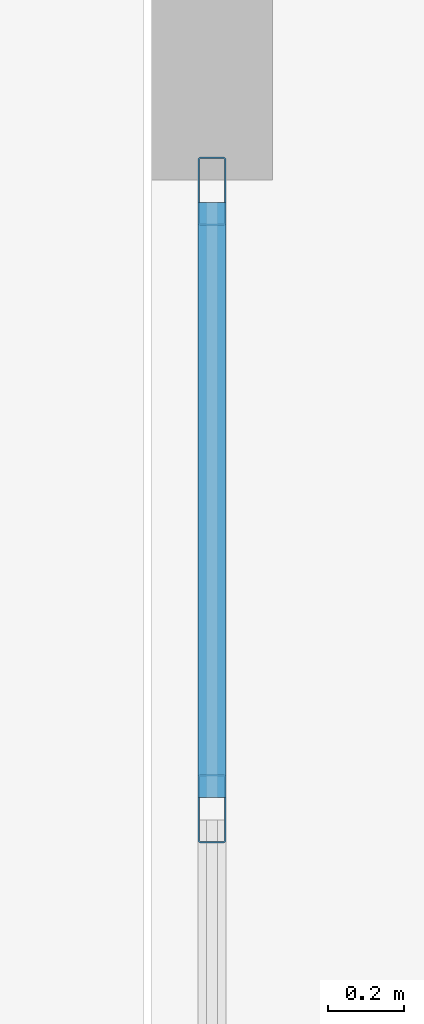
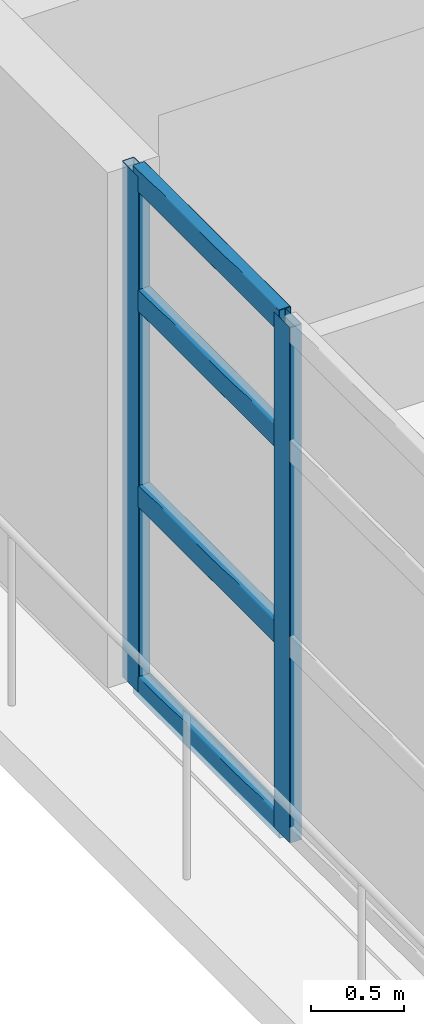
# One storey, part 9 of 24: 6 members, 1 element without a shape of its own.
"""IFC4 building model written with IfcOpenShell, lengths in metres."""

from ifc_helpers import new_model, si_unit, direction, frame, origin, origin_2d, place, context, subcontext, project, spatial, hollow_rectangle, extrude, material, layer, layer_set, material_profile, profile_set, type_object, element, aggregate, save


model = new_model("IFC4")

# Units and contexts
model_context = context("Model", 3, precision=1e-05, world=origin(), true_north=direction((0.0, 1.0)))
body_context = subcontext(model_context, "Body", "Model", "MODEL_VIEW")
ifc_project = project(units=[si_unit("LENGTHUNIT", "METRE"), si_unit("AREAUNIT", "SQUARE_METRE"), si_unit("VOLUMEUNIT", "CUBIC_METRE"), si_unit("PLANEANGLEUNIT", "RADIAN"), si_unit("MASSUNIT", "GRAM", prefix="KILO")], contexts=[model_context])

# Site, building, storey
site_placement = place(None, origin())
site = spatial("IfcSite", under=ifc_project, at=site_placement, CompositionType="ELEMENT")
building_placement = place(site_placement, origin())
building = spatial("IfcBuilding", under=site, at=building_placement, Name="Qingluan Cross Belvedere", CompositionType="ELEMENT")
storey_placement = place(building_placement, frame((0.0, 0.0, 19.199951171875)))
storey = spatial("IfcBuildingStorey", under=building, at=storey_placement, Name="L05", CompositionType="ELEMENT", Elevation=19.199951171875)

# Curtain wall, members
ifc_material_1 = material(Name="Thermally broken aluminium and Low-E glass", Category="aluminium")
ifc_layer = layer(ifc_material_1, 0.179931640625, Name="UnitisedCW_CascadeGarden")
ifc_layer_set = layer_set([ifc_layer], Name="Thermally broken aluminium and Low-E glass")
curtain_wall_type = type_object("IfcCurtainWallType", Name="UnitisedCW_CascadeGarden", PredefinedType="USERDEFINED", material=ifc_layer_set)
curtain_wall_placement = place(storey_placement, origin())
curtain_wall = element("IfcCurtainWall", 1, at=curtain_wall_placement, inside=storey, type_object=curtain_wall_type, Name="UnitisedCW_CascadeGarden run env:cw:L05:W", ObjectType="UNITISED CURTAIN WALL", PredefinedType="USERDEFINED")
ifc_material_2 = material(Name="Aluminium alloy 6063-T6", Category="aluminium")
ifc_material_profile_1 = material_profile(ifc_material_2, hollow_rectangle(XDim=0.074951171875, YDim=0.179931640625, WallThickness=0.00390625, InnerFilletRadius=0.00390625, OuterFilletRadius=0.008056640625, at=origin_2d()), Name="CWM180x75x4")
ifc_profile_set_1 = profile_set([ifc_material_profile_1], Name="Aluminium alloy 6063-T6")
member_type_1 = type_object("IfcMemberType", Name="CWMullion_180", PredefinedType="MULLION", material=ifc_profile_set_1)
member_1_placement = place(storey_placement, frame((-36.239990234375, 4.142822265625, 0.0), z_axis=(0.0, 0.0, 1.0), x_axis=(-1.0, 0.0, 0.0)))
member_1 = element("IfcMember", 2, at=member_1_placement, type_object=member_type_1, Name="CW-P3 mullion 7", PredefinedType="MULLION", context=body_context, shape_type="SweptSolid", body=[
    extrude(hollow_rectangle(XDim=0.074951171875, YDim=0.179931640625, WallThickness=0.00390625, InnerFilletRadius=0.00390625, OuterFilletRadius=0.008056640625, at=origin_2d()), origin(), (0.0, 0.0, 1.0), 3.380126953125),
])
member_2_placement = place(storey_placement, frame((-36.239990234375, 5.77001953125, 0.0), z_axis=(0.0, 0.0, 1.0), x_axis=(-1.0, 0.0, 0.0)))
member_2 = element("IfcMember", 3, at=member_2_placement, type_object=member_type_1, Name="CW-P3 mullion 8", PredefinedType="MULLION", context=body_context, shape_type="SweptSolid", body=[
    extrude(hollow_rectangle(XDim=0.074951171875, YDim=0.179931640625, WallThickness=0.00390625, InnerFilletRadius=0.00390625, OuterFilletRadius=0.008056640625, at=origin_2d()), origin(), (0.0, 0.0, 1.0), 3.380126953125),
])
ifc_material_3 = material(Name="Aluminium alloy 6063-T6", Category="aluminium")
ifc_material_profile_2 = material_profile(ifc_material_3, hollow_rectangle(XDim=0.074951171875, YDim=0.14990234375, WallThickness=0.00390625, InnerFilletRadius=0.00390625, OuterFilletRadius=0.008056640625, at=origin_2d()), Name="CWT150x75x4")
ifc_profile_set_2 = profile_set([ifc_material_profile_2], Name="Aluminium alloy 6063-T6")
member_type_2 = type_object("IfcMemberType", Name="CWTransom_150", PredefinedType="USERDEFINED", material=ifc_profile_set_2)
member_3_placement = place(storey_placement, frame((-36.239990234375, 4.1728515625, 0.030029296875), z_axis=(0.0, 1.0, 0.0), x_axis=(-1.0, 0.0, 0.0)))
member_3 = element("IfcMember", 4, at=member_3_placement, type_object=member_type_2, Name="CW-P3 transom 7.1", ObjectType="TRANSOM", PredefinedType="USERDEFINED", context=body_context, shape_type="SweptSolid", body=[
    extrude(hollow_rectangle(XDim=0.074951171875, YDim=0.14990234375, WallThickness=0.00390625, InnerFilletRadius=0.00390625, OuterFilletRadius=0.008056640625, at=origin_2d()), origin(), (0.0, 0.0, 1.0), 1.567138671875),
])
member_4_placement = place(storey_placement, frame((-36.239990234375, 4.1728515625, 1.283935546875), z_axis=(0.0, 1.0, 0.0), x_axis=(-1.0, 0.0, 0.0)))
member_4 = element("IfcMember", 5, at=member_4_placement, type_object=member_type_2, Name="CW-P3 transom 7.2", ObjectType="TRANSOM", PredefinedType="USERDEFINED", context=body_context, shape_type="SweptSolid", body=[
    extrude(hollow_rectangle(XDim=0.074951171875, YDim=0.14990234375, WallThickness=0.00390625, InnerFilletRadius=0.00390625, OuterFilletRadius=0.008056640625, at=origin_2d()), origin(), (0.0, 0.0, 1.0), 1.567138671875),
])
member_5_placement = place(storey_placement, frame((-36.239990234375, 4.1728515625, 2.569091796875), z_axis=(0.0, 1.0, 0.0), x_axis=(-1.0, 0.0, 0.0)))
member_5 = element("IfcMember", 6, at=member_5_placement, type_object=member_type_2, Name="CW-P3 transom 7.3", ObjectType="TRANSOM", PredefinedType="USERDEFINED", context=body_context, shape_type="SweptSolid", body=[
    extrude(hollow_rectangle(XDim=0.074951171875, YDim=0.14990234375, WallThickness=0.00390625, InnerFilletRadius=0.00390625, OuterFilletRadius=0.008056640625, at=origin_2d()), origin(), (0.0, 0.0, 1.0), 1.567138671875),
])
member_6_placement = place(storey_placement, frame((-36.239990234375, 4.1728515625, 3.35009765625), z_axis=(0.0, 1.0, 0.0), x_axis=(-1.0, 0.0, 0.0)))
member_6 = element("IfcMember", 7, at=member_6_placement, type_object=member_type_2, Name="CW-P3 transom 7.4", ObjectType="TRANSOM", PredefinedType="USERDEFINED", context=body_context, shape_type="SweptSolid", body=[
    extrude(hollow_rectangle(XDim=0.074951171875, YDim=0.14990234375, WallThickness=0.00390625, InnerFilletRadius=0.00390625, OuterFilletRadius=0.008056640625, at=origin_2d()), origin(), (0.0, 0.0, 1.0), 1.567138671875),
])
aggregate(curtain_wall, [member_1, member_2, member_3, member_4, member_5, member_6])

save(model, "model.ifc")
